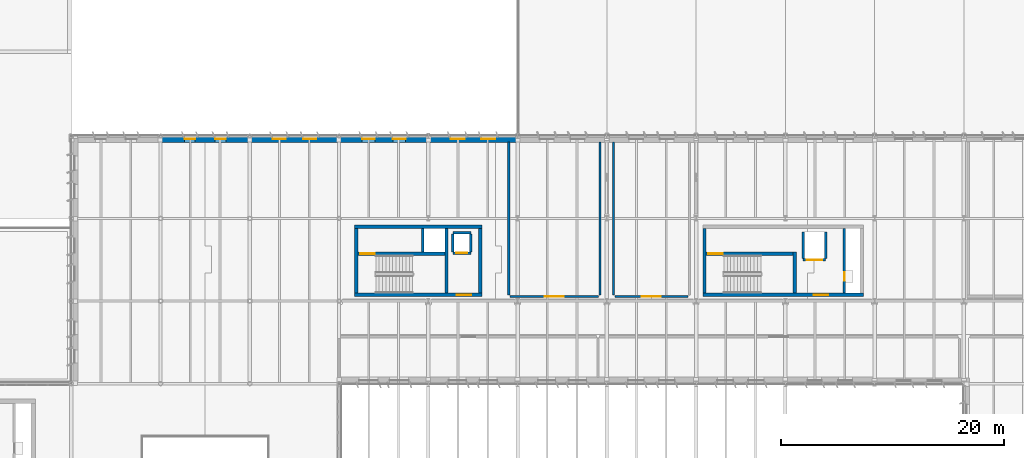
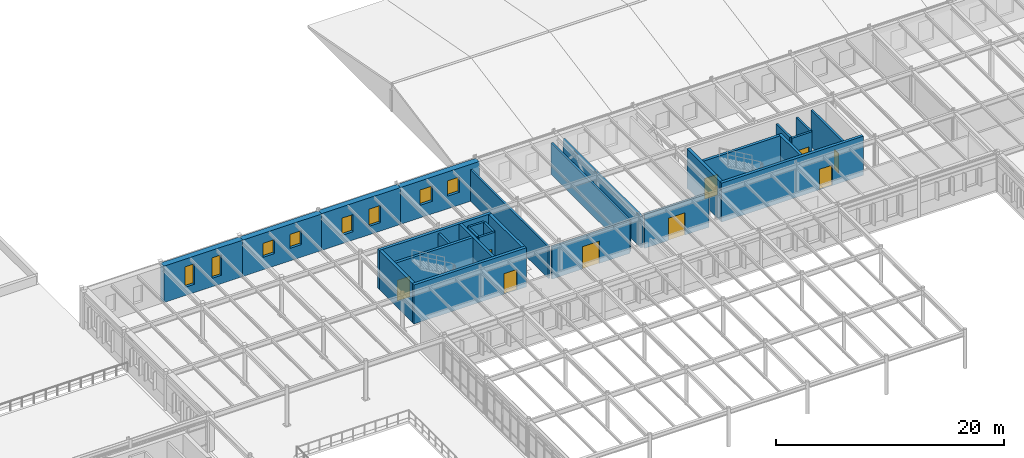
# One storey, part 44 of 63: 28 walls, 9 doors, 8 windows, 17 openings.
"""IFC4 building model written with IfcOpenShell, lengths in metres."""

from ifc_helpers import new_model, si_unit, direction, frame, frame_2d, origin, place, context, subcontext, project, spatial, rectangle, extrude, material, layer, layer_set, type_object, element, fill, save


model = new_model("IFC4")

# Units and contexts
model_context = context("Model", 3, precision=1e-05, world=origin(), true_north=direction((0.0, 1.0)))
body_context = subcontext(model_context, "Body", "Model", "MODEL_VIEW")
ifc_project = project(units=[si_unit("LENGTHUNIT", "METRE"), si_unit("AREAUNIT", "SQUARE_METRE"), si_unit("VOLUMEUNIT", "CUBIC_METRE"), si_unit("PLANEANGLEUNIT", "RADIAN"), si_unit("MASSUNIT", "GRAM", prefix="KILO")], contexts=[model_context])

# Site, building, storey
site_placement = place(None, origin())
site = spatial("IfcSite", under=ifc_project, at=site_placement, CompositionType="ELEMENT")
building_placement = place(site_placement, origin())
building = spatial("IfcBuilding", under=site, at=building_placement, Name="Valkorina Park Police Headquarters", CompositionType="ELEMENT")
storey_placement = place(building_placement, frame((0.0, 0.0, 9.89990234375)))
storey = spatial("IfcBuildingStorey", under=building, at=storey_placement, Name="L03", CompositionType="ELEMENT", Elevation=9.89990234375)

# Wall, opening, door
ifc_material_1 = material(Name="Autoclaved aerated concrete masonry", Category="masonry")
ifc_layer_1 = layer(ifc_material_1, 0.219970703125)
ifc_layer_set_1 = layer_set([ifc_layer_1], Name="Autoclaved aerated concrete masonry")
wall_type_1 = type_object("IfcWallType", Name="WL-CHASE-220-EI60", PredefinedType="PLUMBINGWALL", material=ifc_layer_set_1)
wall_1_placement = place(storey_placement, frame((122.389892578125, 70.2900390625, 0.0), z_axis=(0.0, 0.0, 1.0), x_axis=(1.0, 0.0, 0.0)))
wall_1 = element("IfcWall", 1, at=wall_1_placement, inside=storey, type_object=wall_type_1, Name="Lift LF-07 L03 Shaft Front Wall", PredefinedType="PLUMBINGWALL", context=body_context, shape_type="SweptSolid", body=[
    extrude(rectangle(XDim=2.02001953125, YDim=0.219970703125, at=frame_2d((1.010009765625, 0.0))), origin(), (0.0, 0.0, 1.0), 3.920166015625),
])
opening_1_placement = place(wall_1_placement, frame((0.31005859375, 0.0, 0.0)))
opening_1 = element("IfcOpeningElement", 2, at=opening_1_placement, cuts=wall_1, Name="Opening LD-04", PredefinedType="OPENING", context=body_context, shape_type="SweptSolid", body=[
    extrude(rectangle(XDim=1.39990234375, YDim=2.39990234375, at=frame_2d((0.699951171875, 1.199951171875))), frame((0.0, 0.1201171875, 0.0), z_axis=(0.0, -1.0, 0.0), x_axis=(1.0, 0.0, 0.0)), (0.0, 0.0, 1.0), 0.239990234375),
])
ifc_material_2 = material(Name="Stainless steel EN 1.4404", Category="steel")
ifc_layer_2 = layer(ifc_material_2, 0.050048828125)
ifc_layer_set_2 = layer_set([ifc_layer_2], Name="Stainless steel EN 1.4404")
door_type_1 = type_object("IfcDoorType", Name="DR-LIFT-GOODS-1400x2400", OperationType="NOTDEFINED", PredefinedType="DOOR", material=ifc_layer_set_2)
door_1_placement = place(opening_1_placement, origin())
door_1 = element("IfcDoor", 3, at=door_1_placement, inside=storey, type_object=door_type_1, Name="Lift Landing Door LF-07-L03", OperationType="DOUBLE_DOOR_SLIDING", OverallHeight=2.39990234375, OverallWidth=1.39990234375, PredefinedType="DOOR", context=body_context, shape_type="SweptSolid", body=[
    extrude(rectangle(XDim=1.39990234375, YDim=2.39990234375, at=frame_2d((0.699951171875, 1.199951171875))), frame((0.0, 0.02490234375, 0.0), z_axis=(0.0, -1.0, 0.0), x_axis=(1.0, 0.0, 0.0)), (0.0, 0.0, 1.0), 0.050048828125),
])
fill(opening_1, door_1)

# Walls
for number, where, z_axis, x_axis, name in (
    (4, (122.389892578125, 70.39990234375, 0.0), (0.0, 0.0, 1.0), (0.0, 1.0, 0.0), "Lift LF-07 L03 Shaft Side Wall W"),
    (5, (124.409912109375, 70.39990234375, 0.0), (0.0, 0.0, 1.0), (0.0, 1.0, 0.0), "Lift LF-07 L03 Shaft Side Wall E"),
):
    element("IfcWall", number, at=place(storey_placement, frame(where, z_axis=z_axis, x_axis=x_axis)), inside=storey, type_object=wall_type_1, Name=name, PredefinedType="PLUMBINGWALL", context=body_context, shape_type="SweptSolid", body=[
        extrude(rectangle(XDim=2.400146484375, YDim=0.219970703125, at=frame_2d((1.2001953125, 0.0))), origin(), (0.0, 0.0, 1.0), 3.920166015625),
    ])

# Wall, opening, door
wall_2_placement = place(storey_placement, frame((126.090087890625, 67.300048828125, 0.0), z_axis=(0.0, 0.0, 1.0), x_axis=(0.0, 1.0, 0.0)))
wall_2 = element("IfcWall", 6, at=wall_2_placement, inside=storey, type_object=wall_type_1, Name="Core C5 L03 Riser Shaft West Wall", PredefinedType="PLUMBINGWALL", context=body_context, shape_type="SweptSolid", body=[
    extrude(rectangle(XDim=5.800048828125, YDim=0.219970703125, at=frame_2d((2.89990234375, 0.0))), origin(), (0.0, 0.0, 1.0), 3.920166015625),
])
opening_2_placement = place(wall_2_placement, frame((1.10009765625, 0.0, 0.0)))
opening_2 = element("IfcOpeningElement", 7, at=opening_2_placement, cuts=wall_2, Name="Opening ID-01", PredefinedType="OPENING", context=body_context, shape_type="SweptSolid", body=[
    extrude(rectangle(XDim=0.800048828125, YDim=2.10009765625, at=frame_2d((0.39990234375, 1.050048828125))), frame((0.0, 0.1201171875, 0.0), z_axis=(0.0, -1.0, 0.0), x_axis=(1.0, 0.0, 0.0)), (0.0, 0.0, 1.0), 0.239990234375),
])
ifc_material_3 = material(Name="Galvanized steel door leaf", Category="steel")
ifc_layer_3 = layer(ifc_material_3, 0.050048828125)
ifc_layer_set_3 = layer_set([ifc_layer_3], Name="Galvanized steel door leaf")
door_type_2 = type_object("IfcDoorType", Name="DR-INT-RISER-800x2100", OperationType="NOTDEFINED", PredefinedType="DOOR", material=ifc_layer_set_3)
door_2_placement = place(opening_2_placement, origin())
door_2 = element("IfcDoor", 8, at=door_2_placement, inside=storey, type_object=door_type_2, Name="Riser Shaft Access Door C5-L03", OperationType="SINGLE_SWING_RIGHT", OverallHeight=2.10009765625, OverallWidth=0.800048828125, PredefinedType="DOOR", context=body_context, shape_type="SweptSolid", body=[
    extrude(rectangle(XDim=0.800048828125, YDim=2.10009765625, at=frame_2d((0.39990234375, 1.050048828125))), frame((0.0, 0.02490234375, 0.0), z_axis=(0.0, -1.0, 0.0), x_axis=(1.0, 0.0, 0.0)), (0.0, 0.0, 1.0), 0.050048828125),
])
fill(opening_2, door_2)

wall_3_placement = place(storey_placement, frame((90.989990234375, 70.889892578125, 0.0), z_axis=(0.0, 0.0, 1.0), x_axis=(1.0, 0.0, 0.0)))
wall_3 = element("IfcWall", 9, at=wall_3_placement, inside=storey, type_object=wall_type_1, Name="Lift LF-08 L03 Shaft Front Wall", PredefinedType="PLUMBINGWALL", context=body_context, shape_type="SweptSolid", body=[
    extrude(rectangle(XDim=1.6201171875, YDim=0.219970703125, at=frame_2d((0.81005859375, 0.0))), origin(), (0.0, 0.0, 1.0), 3.920166015625),
])
opening_3_placement = place(wall_3_placement, frame((0.31005859375, 0.0, 0.0)))
opening_3 = element("IfcOpeningElement", 10, at=opening_3_placement, cuts=wall_3, Name="Opening LD-02", PredefinedType="OPENING", context=body_context, shape_type="SweptSolid", body=[
    extrude(rectangle(XDim=1.0, YDim=2.199951171875, at=frame_2d((0.5, 1.10009765625))), frame((0.0, 0.1201171875, 0.0), z_axis=(0.0, -1.0, 0.0), x_axis=(1.0, 0.0, 0.0)), (0.0, 0.0, 1.0), 0.239990234375),
])
ifc_layer_4 = layer(ifc_material_2, 0.050048828125)
ifc_layer_set_4 = layer_set([ifc_layer_4], Name="Stainless steel EN 1.4404")
door_type_3 = type_object("IfcDoorType", Name="DR-LIFT-PAX-1000x2200", OperationType="NOTDEFINED", PredefinedType="DOOR", material=ifc_layer_set_4)
door_3_placement = place(opening_3_placement, origin())
door_3 = element("IfcDoor", 11, at=door_3_placement, inside=storey, type_object=door_type_3, Name="Lift Landing Door LF-08-L03", OperationType="DOUBLE_DOOR_SLIDING", OverallHeight=2.199951171875, OverallWidth=1.0, PredefinedType="DOOR", context=body_context, shape_type="SweptSolid", body=[
    extrude(rectangle(XDim=1.0, YDim=2.199951171875, at=frame_2d((0.5, 1.10009765625))), frame((0.0, 0.02490234375, 0.0), z_axis=(0.0, -1.0, 0.0), x_axis=(1.0, 0.0, 0.0)), (0.0, 0.0, 1.0), 0.050048828125),
])
fill(opening_3, door_3)

# Walls
wall_4_placement = place(storey_placement, frame((90.989990234375, 72.7099609375, 0.0), z_axis=(0.0, 0.0, 1.0), x_axis=(1.0, 0.0, 0.0)))
element("IfcWall", 12, at=wall_4_placement, inside=storey, type_object=wall_type_1, Name="Lift LF-08 L03 Shaft Back Wall", PredefinedType="PLUMBINGWALL", context=body_context, shape_type="SweptSolid", body=[
    extrude(rectangle(XDim=1.6201171875, YDim=0.219970703125, at=frame_2d((0.81005859375, 0.0))), origin(), (0.0, 0.0, 1.0), 3.920166015625),
])
for number, where, z_axis, x_axis, name in (
    (13, (90.989990234375, 71.0, 0.0), (0.0, 0.0, 1.0), (0.0, 1.0, 0.0), "Lift LF-08 L03 Shaft Side Wall W"),
    (14, (92.610107421875, 71.0, 0.0), (0.0, 0.0, 1.0), (0.0, 1.0, 0.0), "Lift LF-08 L03 Shaft Side Wall E"),
):
    element("IfcWall", number, at=place(storey_placement, frame(where, z_axis=z_axis, x_axis=x_axis)), inside=storey, type_object=wall_type_1, Name=name, PredefinedType="PLUMBINGWALL", context=body_context, shape_type="SweptSolid", body=[
        extrude(rectangle(XDim=1.60009765625, YDim=0.219970703125, at=frame_2d((0.800048828125, 0.0))), origin(), (0.0, 0.0, 1.0), 3.920166015625),
    ])
wall_5_placement = place(storey_placement, frame((88.2900390625, 70.97998046875, 0.0), z_axis=(0.0, 0.0, 1.0), x_axis=(0.0, 1.0, 0.0)))
element("IfcWall", 15, at=wall_5_placement, inside=storey, type_object=wall_type_1, Name="Core C6 L03 Riser Shaft West Wall", PredefinedType="PLUMBINGWALL", context=body_context, shape_type="SweptSolid", body=[
    extrude(rectangle(XDim=2.1201171875, YDim=0.219970703125, at=frame_2d((1.06005859375, 0.0))), origin(), (0.0, 0.0, 1.0), 3.920166015625),
])

# Wall, opening, door
ifc_material_4 = material(Name="Concrete C40/50", Category="concrete")
ifc_layer_5 = layer(ifc_material_4, 0.300048828125)
ifc_layer_set_5 = layer_set([ifc_layer_5], Name="Concrete C40/50")
wall_type_2 = type_object("IfcWallType", Name="WL-CORE-300-REI120", PredefinedType="SHEAR", material=ifc_layer_set_5)
wall_6_placement = place(storey_placement, frame((113.39990234375, 67.14990234375, 0.0), z_axis=(0.0, 0.0, 1.0), x_axis=(1.0, 0.0, 0.0)))
wall_6 = element("IfcWall", 16, at=wall_6_placement, inside=storey, type_object=wall_type_2, Name="Core C5 L03 Shear Wall S", PredefinedType="SHEAR", context=body_context, shape_type="SweptSolid", body=[
    extrude(rectangle(XDim=14.400146484375, YDim=0.300048828125, at=frame_2d((7.2001953125, 0.0))), origin(), (0.0, 0.0, 1.0), 4.195068359375),
])
opening_4_placement = place(wall_6_placement, frame((9.949951171875, 0.0, 0.0)))
opening_4 = element("IfcOpeningElement", 17, at=opening_4_placement, cuts=wall_6, Name="Opening FD-03", PredefinedType="OPENING", context=body_context, shape_type="SweptSolid", body=[
    extrude(rectangle(XDim=1.300048828125, YDim=2.199951171875, at=frame_2d((0.64990234375, 1.10009765625))), frame((0.0, 0.16015625, 0.0), z_axis=(0.0, -1.0, 0.0), x_axis=(1.0, 0.0, 0.0)), (0.0, 0.0, 1.0), 0.320068359375),
])
ifc_layer_6 = layer(ifc_material_3, 0.050048828125)
ifc_layer_set_6 = layer_set([ifc_layer_6], Name="Galvanized steel door leaf")
door_type_4 = type_object("IfcDoorType", Name="DR-FIRE-STAIR-1300x2200", OperationType="NOTDEFINED", PredefinedType="DOOR", material=ifc_layer_set_6)
door_4_placement = place(opening_4_placement, origin())
door_4 = element("IfcDoor", 18, at=door_4_placement, inside=storey, type_object=door_type_4, Name="Door D-L03-LBY-C5 (Core C5 Lobby Fire Door)", OperationType="SINGLE_SWING_LEFT", OverallHeight=2.199951171875, OverallWidth=1.300048828125, PredefinedType="DOOR", context=body_context, shape_type="SweptSolid", body=[
    extrude(rectangle(XDim=1.300048828125, YDim=2.199951171875, at=frame_2d((0.64990234375, 1.10009765625))), frame((0.0, 0.02490234375, 0.0), z_axis=(0.0, -1.0, 0.0), x_axis=(1.0, 0.0, 0.0)), (0.0, 0.0, 1.0), 0.050048828125),
])
fill(opening_4, door_4)

# Wall
wall_7_placement = place(storey_placement, frame((113.550048828125, 67.300048828125, 0.0), z_axis=(0.0, 0.0, 1.0), x_axis=(0.0, 1.0, 0.0)))
element("IfcWall", 19, at=wall_7_placement, inside=storey, type_object=wall_type_2, Name="Core C5 L03 Shear Wall W", PredefinedType="SHEAR", context=body_context, shape_type="SweptSolid", body=[
    extrude(rectangle(XDim=5.800048828125, YDim=0.300048828125, at=frame_2d((2.89990234375, 0.0))), origin(), (0.0, 0.0, 1.0), 4.195068359375),
])

# Wall, opening, door
wall_8_placement = place(storey_placement, frame((82.199951171875, 67.14990234375, 0.0), z_axis=(0.0, 0.0, 1.0), x_axis=(1.0, 0.0, 0.0)))
wall_8 = element("IfcWall", 20, at=wall_8_placement, inside=storey, type_object=wall_type_2, Name="Core C6 L03 Shear Wall S", PredefinedType="SHEAR", context=body_context, shape_type="SweptSolid", body=[
    extrude(rectangle(XDim=11.400146484375, YDim=0.300048828125, at=frame_2d((5.7001953125, 0.0))), origin(), (0.0, 0.0, 1.0), 4.195068359375),
])
opening_5_placement = place(wall_8_placement, frame((9.14990234375, 0.0, 0.0)))
opening_5 = element("IfcOpeningElement", 21, at=opening_5_placement, cuts=wall_8, Name="Opening FD-03", PredefinedType="OPENING", context=body_context, shape_type="SweptSolid", body=[
    extrude(rectangle(XDim=1.300048828125, YDim=2.199951171875, at=frame_2d((0.64990234375, 1.10009765625))), frame((0.0, 0.16015625, 0.0), z_axis=(0.0, -1.0, 0.0), x_axis=(1.0, 0.0, 0.0)), (0.0, 0.0, 1.0), 0.320068359375),
])
door_5_placement = place(opening_5_placement, origin())
door_5 = element("IfcDoor", 22, at=door_5_placement, inside=storey, type_object=door_type_4, Name="Door D-L03-LBY-C6 (Core C6 Lobby Fire Door)", OperationType="SINGLE_SWING_LEFT", OverallHeight=2.199951171875, OverallWidth=1.300048828125, PredefinedType="DOOR", context=body_context, shape_type="SweptSolid", body=[
    extrude(rectangle(XDim=1.300048828125, YDim=2.199951171875, at=frame_2d((0.64990234375, 1.10009765625))), frame((0.0, 0.02490234375, 0.0), z_axis=(0.0, -1.0, 0.0), x_axis=(1.0, 0.0, 0.0)), (0.0, 0.0, 1.0), 0.050048828125),
])
fill(opening_5, door_5)

# Walls
wall_9_placement = place(storey_placement, frame((82.199951171875, 73.25, 0.0), z_axis=(0.0, 0.0, 1.0), x_axis=(1.0, 0.0, 0.0)))
element("IfcWall", 23, at=wall_9_placement, inside=storey, type_object=wall_type_2, Name="Core C6 L03 Shear Wall N", PredefinedType="SHEAR", context=body_context, shape_type="SweptSolid", body=[
    extrude(rectangle(XDim=11.400146484375, YDim=0.300048828125, at=frame_2d((5.7001953125, 0.0))), origin(), (0.0, 0.0, 1.0), 4.195068359375),
])
for number, where, z_axis, x_axis, name in (
    (24, (82.35009765625, 67.300048828125, 0.0), (0.0, 0.0, 1.0), (0.0, 1.0, 0.0), "Core C6 L03 Shear Wall W"),
    (25, (93.449951171875, 67.300048828125, 0.0), (0.0, 0.0, 1.0), (0.0, 1.0, 0.0), "Core C6 L03 Shear Wall E"),
):
    element("IfcWall", number, at=place(storey_placement, frame(where, z_axis=z_axis, x_axis=x_axis)), inside=storey, type_object=wall_type_2, Name=name, PredefinedType="SHEAR", context=body_context, shape_type="SweptSolid", body=[
        extrude(rectangle(XDim=5.800048828125, YDim=0.300048828125, at=frame_2d((2.89990234375, 0.0))), origin(), (0.0, 0.0, 1.0), 4.195068359375),
    ])

# Wall, opening, door
ifc_layer_7 = layer(ifc_material_1, 0.199951171875)
ifc_layer_set_7 = layer_set([ifc_layer_7], Name="Autoclaved aerated concrete masonry")
wall_type_3 = type_object("IfcWallType", Name="WL-CORR-200-EI60", PredefinedType="STANDARD", material=ifc_layer_set_7)
wall_10_placement = place(storey_placement, frame((96.139892578125, 67.0, 0.0), z_axis=(0.0, 0.0, 1.0), x_axis=(1.0, 0.0, 0.0)))
wall_10 = element("IfcWall", 26, at=wall_10_placement, inside=storey, type_object=wall_type_3, Name="L03 Interior Partition 0175 (L03-TEL-03)", PredefinedType="STANDARD", context=body_context, shape_type="SweptSolid", body=[
    extrude(rectangle(XDim=7.920166015625, YDim=0.199951171875, at=frame_2d((3.9599609375, 0.0))), origin(), (0.0, 0.0, 1.0), 3.445068359375),
])
opening_6_placement = place(wall_10_placement, frame((3.110107421875, 0.0, 0.0)))
opening_6 = element("IfcOpeningElement", 27, at=opening_6_placement, cuts=wall_10, Name="Opening FD-08", PredefinedType="OPENING", context=body_context, shape_type="SweptSolid", body=[
    extrude(rectangle(XDim=1.699951171875, YDim=2.39990234375, at=frame_2d((0.85009765625, 1.199951171875))), frame((0.0, 0.10986328125, 0.0), z_axis=(0.0, -1.0, 0.0), x_axis=(1.0, 0.0, 0.0)), (0.0, 0.0, 1.0), 0.219970703125),
])
ifc_layer_8 = layer(ifc_material_3, 0.050048828125)
ifc_layer_set_8 = layer_set([ifc_layer_8], Name="Galvanized steel door leaf")
door_type_5 = type_object("IfcDoorType", Name="DR-FIRE-PLANT-1700x2400", OperationType="NOTDEFINED", PredefinedType="DOOR", material=ifc_layer_set_8)
door_6_placement = place(opening_6_placement, origin())
door_6 = element("IfcDoor", 28, at=door_6_placement, inside=storey, type_object=door_type_5, Name="Door D-L03-I082 (L03-TEL-03)", OperationType="DOUBLE_DOOR_SINGLE_SWING", OverallHeight=2.39990234375, OverallWidth=1.699951171875, PredefinedType="DOOR", context=body_context, shape_type="SweptSolid", body=[
    extrude(rectangle(XDim=1.699951171875, YDim=2.39990234375, at=frame_2d((0.85009765625, 1.199951171875))), frame((0.0, 0.02490234375, 0.0), z_axis=(0.0, -1.0, 0.0), x_axis=(1.0, 0.0, 0.0)), (0.0, 0.0, 1.0), 0.050048828125),
])
fill(opening_6, door_6)

# Walls
for number, where, z_axis, x_axis, name in (
    (29, (96.0, 67.139892578125, 0.0), (0.0, 0.0, 1.0), (0.0, 1.0, 0.0), "L03 Interior Partition 0176 (L03-TEL-03)"),
    (30, (104.199951171875, 67.139892578125, 0.0), (0.0, 0.0, 1.0), (0.0, 1.0, 0.0), "L03 Interior Partition 0177 (L03-TEL-03)"),
):
    element("IfcWall", number, at=place(storey_placement, frame(where, z_axis=z_axis, x_axis=x_axis)), inside=storey, type_object=wall_type_3, Name=name, PredefinedType="STANDARD", context=body_context, shape_type="SweptSolid", body=[
        extrude(rectangle(XDim=13.72021484375, YDim=0.199951171875, at=frame_2d((6.860107421875, 0.0))), origin(), (0.0, 0.0, 1.0), 3.385009765625),
    ])

# Wall, opening, door
wall_11_placement = place(storey_placement, frame((105.5400390625, 67.0, 0.0), z_axis=(0.0, 0.0, 1.0), x_axis=(1.0, 0.0, 0.0)))
wall_11 = element("IfcWall", 31, at=wall_11_placement, inside=storey, type_object=wall_type_3, Name="L03 Interior Partition 0178 (L03-TEL-04)", PredefinedType="STANDARD", context=body_context, shape_type="SweptSolid", body=[
    extrude(rectangle(XDim=6.52001953125, YDim=0.199951171875, at=frame_2d((3.260009765625, 0.0))), origin(), (0.0, 0.0, 1.0), 3.635009765625),
])
opening_7_placement = place(wall_11_placement, frame((2.409912109375, 0.0, 0.0)))
opening_7 = element("IfcOpeningElement", 32, at=opening_7_placement, cuts=wall_11, Name="Opening FD-08", PredefinedType="OPENING", context=body_context, shape_type="SweptSolid", body=[
    extrude(rectangle(XDim=1.699951171875, YDim=2.39990234375, at=frame_2d((0.85009765625, 1.199951171875))), frame((0.0, 0.10986328125, 0.0), z_axis=(0.0, -1.0, 0.0), x_axis=(1.0, 0.0, 0.0)), (0.0, 0.0, 1.0), 0.219970703125),
])
door_7_placement = place(opening_7_placement, origin())
door_7 = element("IfcDoor", 33, at=door_7_placement, inside=storey, type_object=door_type_5, Name="Door D-L03-I083 (L03-TEL-04)", OperationType="DOUBLE_DOOR_SINGLE_SWING", OverallHeight=2.39990234375, OverallWidth=1.699951171875, PredefinedType="DOOR", context=body_context, shape_type="SweptSolid", body=[
    extrude(rectangle(XDim=1.699951171875, YDim=2.39990234375, at=frame_2d((0.85009765625, 1.199951171875))), frame((0.0, 0.02490234375, 0.0), z_axis=(0.0, -1.0, 0.0), x_axis=(1.0, 0.0, 0.0)), (0.0, 0.0, 1.0), 0.050048828125),
])
fill(opening_7, door_7)

# Wall
wall_12_placement = place(storey_placement, frame((105.39990234375, 67.139892578125, 0.0), z_axis=(0.0, 0.0, 1.0), x_axis=(0.0, 1.0, 0.0)))
element("IfcWall", 34, at=wall_12_placement, inside=storey, type_object=wall_type_3, Name="L03 Interior Partition 0179 (L03-TEL-04)", PredefinedType="STANDARD", context=body_context, shape_type="SweptSolid", body=[
    extrude(rectangle(XDim=13.72021484375, YDim=0.199951171875, at=frame_2d((6.860107421875, 0.0))), origin(), (0.0, 0.0, 1.0), 3.385009765625),
])

# Wall, openings, windows
ifc_material_5 = material(Name="Concrete C35/45", Category="concrete")
ifc_layer_9 = layer(ifc_material_5, 0.580078125)
ifc_layer_set_9 = layer_set([ifc_layer_9], Name="Concrete C35/45")
wall_type_4 = type_object("IfcWallType", Name="WL-EXT-BOARD-580", PredefinedType="STANDARD", material=ifc_layer_set_9)
wall_13_placement = place(storey_placement, frame((64.800048828125, 81.110107421875, 0.0), z_axis=(0.0, 0.0, 1.0), x_axis=(1.0, 0.0, 0.0)))
wall_13 = element("IfcWall", 35, at=wall_13_placement, inside=storey, type_object=wall_type_4, Name="L03 Architectural Concrete Exterior Wall 0192", PredefinedType="STANDARD", context=body_context, shape_type="SweptSolid", body=[
    extrude(rectangle(XDim=8.0, YDim=0.580078125, at=frame_2d((4.0, 0.0))), origin(), (0.0, 0.0, 1.0), 3.920166015625),
])
opening_8_placement = place(wall_13_placement, frame((2.152587890625, 0.0, 0.89990234375)))
opening_8 = element("IfcOpeningElement", 36, at=opening_8_placement, cuts=wall_13, Name="Opening WN-18", PredefinedType="OPENING", context=body_context, shape_type="SweptSolid", body=[
    extrude(rectangle(XDim=0.949951171875, YDim=2.199951171875, at=frame_2d((0.47509765625, 1.10009765625))), frame((0.0, 0.300048828125, 0.0), z_axis=(0.0, -1.0, 0.0), x_axis=(1.0, 0.0, 0.0)), (0.0, 0.0, 1.0), 0.60009765625),
])
opening_9_placement = place(wall_13_placement, frame((4.8974609375, 0.0, 0.89990234375)))
opening_9 = element("IfcOpeningElement", 37, at=opening_9_placement, cuts=wall_13, Name="Opening WN-18", PredefinedType="OPENING", context=body_context, shape_type="SweptSolid", body=[
    extrude(rectangle(XDim=0.949951171875, YDim=2.199951171875, at=frame_2d((0.47509765625, 1.10009765625))), frame((0.0, 0.300048828125, 0.0), z_axis=(0.0, -1.0, 0.0), x_axis=(1.0, 0.0, 0.0)), (0.0, 0.0, 1.0), 0.60009765625),
])
ifc_material_6 = material(Name="Triple low-E insulated glazing", Category="glass")
ifc_layer_10 = layer(ifc_material_6, 0.06005859375)
ifc_layer_set_10 = layer_set([ifc_layer_10], Name="Triple low-E insulated glazing")
window_type_1 = type_object("IfcWindowType", Name="WN-SLOT-950x2200", PartitioningType="SINGLE_PANEL", PredefinedType="WINDOW", material=ifc_layer_set_10)
window_1_placement = place(opening_8_placement, origin())
window_1 = element("IfcWindow", 38, at=window_1_placement, inside=storey, type_object=window_type_1, Name="Window L03-0319", OverallHeight=2.199951171875, OverallWidth=0.949951171875, PartitioningType="SINGLE_PANEL", PredefinedType="WINDOW", context=body_context, shape_type="SweptSolid", body=[
    extrude(rectangle(XDim=0.949951171875, YDim=2.199951171875, at=frame_2d((0.47509765625, 1.10009765625))), frame((0.0, 0.030029296875, 0.0), z_axis=(0.0, -1.0, 0.0), x_axis=(1.0, 0.0, 0.0)), (0.0, 0.0, 1.0), 0.06005859375),
])
fill(opening_8, window_1)
window_2_placement = place(opening_9_placement, origin())
window_2 = element("IfcWindow", 39, at=window_2_placement, inside=storey, type_object=window_type_1, Name="Window L03-0320", OverallHeight=2.199951171875, OverallWidth=0.949951171875, PartitioningType="SINGLE_PANEL", PredefinedType="WINDOW", context=body_context, shape_type="SweptSolid", body=[
    extrude(rectangle(XDim=0.949951171875, YDim=2.199951171875, at=frame_2d((0.47509765625, 1.10009765625))), frame((0.0, 0.030029296875, 0.0), z_axis=(0.0, -1.0, 0.0), x_axis=(1.0, 0.0, 0.0)), (0.0, 0.0, 1.0), 0.06005859375),
])
fill(opening_9, window_2)

wall_14_placement = place(storey_placement, frame((72.800048828125, 81.110107421875, 0.0), z_axis=(0.0, 0.0, 1.0), x_axis=(1.0, 0.0, 0.0)))
wall_14 = element("IfcWall", 40, at=wall_14_placement, inside=storey, type_object=wall_type_4, Name="L03 Architectural Concrete Exterior Wall 0193", PredefinedType="STANDARD", context=body_context, shape_type="SweptSolid", body=[
    extrude(rectangle(XDim=8.0, YDim=0.580078125, at=frame_2d((4.0, 0.0))), origin(), (0.0, 0.0, 1.0), 3.920166015625),
])
opening_10_placement = place(wall_14_placement, frame((2.052490234375, 0.0, 1.35009765625)))
opening_10 = element("IfcOpeningElement", 41, at=opening_10_placement, cuts=wall_14, Name="Opening WN-19", PredefinedType="OPENING", context=body_context, shape_type="SweptSolid", body=[
    extrude(rectangle(XDim=1.14990234375, YDim=1.5, at=frame_2d((0.574951171875, 0.75))), frame((0.0, 0.300048828125, 0.0), z_axis=(0.0, -1.0, 0.0), x_axis=(1.0, 0.0, 0.0)), (0.0, 0.0, 1.0), 0.60009765625),
])
opening_11_placement = place(wall_14_placement, frame((4.79736328125, 0.0, 1.35009765625)))
opening_11 = element("IfcOpeningElement", 42, at=opening_11_placement, cuts=wall_14, Name="Opening WN-19", PredefinedType="OPENING", context=body_context, shape_type="SweptSolid", body=[
    extrude(rectangle(XDim=1.14990234375, YDim=1.5, at=frame_2d((0.574951171875, 0.75))), frame((0.0, 0.300048828125, 0.0), z_axis=(0.0, -1.0, 0.0), x_axis=(1.0, 0.0, 0.0)), (0.0, 0.0, 1.0), 0.60009765625),
])
ifc_layer_11 = layer(ifc_material_6, 0.06005859375)
ifc_layer_set_11 = layer_set([ifc_layer_11], Name="Triple low-E insulated glazing")
window_type_2 = type_object("IfcWindowType", Name="WN-LAB-1150x1500", PartitioningType="SINGLE_PANEL", PredefinedType="WINDOW", material=ifc_layer_set_11)
window_3_placement = place(opening_10_placement, origin())
window_3 = element("IfcWindow", 43, at=window_3_placement, inside=storey, type_object=window_type_2, Name="Window L03-0321", OverallHeight=1.5, OverallWidth=1.14990234375, PartitioningType="SINGLE_PANEL", PredefinedType="WINDOW", context=body_context, shape_type="SweptSolid", body=[
    extrude(rectangle(XDim=1.14990234375, YDim=1.5, at=frame_2d((0.574951171875, 0.75))), frame((0.0, 0.030029296875, 0.0), z_axis=(0.0, -1.0, 0.0), x_axis=(1.0, 0.0, 0.0)), (0.0, 0.0, 1.0), 0.06005859375),
])
fill(opening_10, window_3)
window_4_placement = place(opening_11_placement, origin())
window_4 = element("IfcWindow", 44, at=window_4_placement, inside=storey, type_object=window_type_2, Name="Window L03-0322", OverallHeight=1.5, OverallWidth=1.14990234375, PartitioningType="SINGLE_PANEL", PredefinedType="WINDOW", context=body_context, shape_type="SweptSolid", body=[
    extrude(rectangle(XDim=1.14990234375, YDim=1.5, at=frame_2d((0.574951171875, 0.75))), frame((0.0, 0.030029296875, 0.0), z_axis=(0.0, -1.0, 0.0), x_axis=(1.0, 0.0, 0.0)), (0.0, 0.0, 1.0), 0.06005859375),
])
fill(opening_11, window_4)

wall_15_placement = place(storey_placement, frame((80.800048828125, 81.110107421875, 0.0), z_axis=(0.0, 0.0, 1.0), x_axis=(1.0, 0.0, 0.0)))
wall_15 = element("IfcWall", 45, at=wall_15_placement, inside=storey, type_object=wall_type_4, Name="L03 Architectural Concrete Exterior Wall 0194", PredefinedType="STANDARD", context=body_context, shape_type="SweptSolid", body=[
    extrude(rectangle(XDim=8.0, YDim=0.580078125, at=frame_2d((4.0, 0.0))), origin(), (0.0, 0.0, 1.0), 3.955078125),
])
opening_12_placement = place(wall_15_placement, frame((2.0615234375, 0.0, 0.89990234375)))
opening_12 = element("IfcOpeningElement", 46, at=opening_12_placement, cuts=wall_15, Name="Opening WN-20", PredefinedType="OPENING", context=body_context, shape_type="SweptSolid", body=[
    extrude(rectangle(XDim=1.14990234375, YDim=1.85009765625, at=frame_2d((0.574951171875, 0.925048828125))), frame((0.0, 0.300048828125, 0.0), z_axis=(0.0, -1.0, 0.0), x_axis=(1.0, 0.0, 0.0)), (0.0, 0.0, 1.0), 0.60009765625),
])
opening_13_placement = place(wall_15_placement, frame((4.81640625, 0.0, 0.89990234375)))
opening_13 = element("IfcOpeningElement", 47, at=opening_13_placement, cuts=wall_15, Name="Opening WN-20", PredefinedType="OPENING", context=body_context, shape_type="SweptSolid", body=[
    extrude(rectangle(XDim=1.14990234375, YDim=1.85009765625, at=frame_2d((0.574951171875, 0.925048828125))), frame((0.0, 0.300048828125, 0.0), z_axis=(0.0, -1.0, 0.0), x_axis=(1.0, 0.0, 0.0)), (0.0, 0.0, 1.0), 0.60009765625),
])
ifc_layer_12 = layer(ifc_material_6, 0.06005859375)
ifc_layer_set_12 = layer_set([ifc_layer_12], Name="Triple low-E insulated glazing")
window_type_3 = type_object("IfcWindowType", Name="WN-LAB-1150x1850", PartitioningType="SINGLE_PANEL", PredefinedType="WINDOW", material=ifc_layer_set_12)
window_5_placement = place(opening_12_placement, origin())
window_5 = element("IfcWindow", 48, at=window_5_placement, inside=storey, type_object=window_type_3, Name="Window L03-0323", OverallHeight=1.85009765625, OverallWidth=1.14990234375, PartitioningType="SINGLE_PANEL", PredefinedType="WINDOW", context=body_context, shape_type="SweptSolid", body=[
    extrude(rectangle(XDim=1.14990234375, YDim=1.85009765625, at=frame_2d((0.574951171875, 0.925048828125))), frame((0.0, 0.030029296875, 0.0), z_axis=(0.0, -1.0, 0.0), x_axis=(1.0, 0.0, 0.0)), (0.0, 0.0, 1.0), 0.06005859375),
])
fill(opening_12, window_5)
window_6_placement = place(opening_13_placement, origin())
window_6 = element("IfcWindow", 49, at=window_6_placement, inside=storey, type_object=window_type_3, Name="Window L03-0324", OverallHeight=1.85009765625, OverallWidth=1.14990234375, PartitioningType="SINGLE_PANEL", PredefinedType="WINDOW", context=body_context, shape_type="SweptSolid", body=[
    extrude(rectangle(XDim=1.14990234375, YDim=1.85009765625, at=frame_2d((0.574951171875, 0.925048828125))), frame((0.0, 0.030029296875, 0.0), z_axis=(0.0, -1.0, 0.0), x_axis=(1.0, 0.0, 0.0)), (0.0, 0.0, 1.0), 0.06005859375),
])
fill(opening_13, window_6)

wall_16_placement = place(storey_placement, frame((88.800048828125, 81.110107421875, 0.0), z_axis=(0.0, 0.0, 1.0), x_axis=(1.0, 0.0, 0.0)))
wall_16 = element("IfcWall", 50, at=wall_16_placement, inside=storey, type_object=wall_type_4, Name="L03 Architectural Concrete Exterior Wall 0195", PredefinedType="STANDARD", context=body_context, shape_type="SweptSolid", body=[
    extrude(rectangle(XDim=8.0, YDim=0.580078125, at=frame_2d((4.0, 0.0))), origin(), (0.0, 0.0, 1.0), 3.955078125),
])
opening_14_placement = place(wall_16_placement, frame((1.99267578125, 0.0, 1.35009765625)))
opening_14 = element("IfcOpeningElement", 51, at=opening_14_placement, cuts=wall_16, Name="Opening WN-21", PredefinedType="OPENING", context=body_context, shape_type="SweptSolid", body=[
    extrude(rectangle(XDim=1.25, YDim=1.64990234375, at=frame_2d((0.625, 0.824951171875))), frame((0.0, 0.300048828125, 0.0), z_axis=(0.0, -1.0, 0.0), x_axis=(1.0, 0.0, 0.0)), (0.0, 0.0, 1.0), 0.60009765625),
])
opening_15_placement = place(wall_16_placement, frame((4.75732421875, 0.0, 1.35009765625)))
opening_15 = element("IfcOpeningElement", 52, at=opening_15_placement, cuts=wall_16, Name="Opening WN-21", PredefinedType="OPENING", context=body_context, shape_type="SweptSolid", body=[
    extrude(rectangle(XDim=1.25, YDim=1.64990234375, at=frame_2d((0.625, 0.824951171875))), frame((0.0, 0.300048828125, 0.0), z_axis=(0.0, -1.0, 0.0), x_axis=(1.0, 0.0, 0.0)), (0.0, 0.0, 1.0), 0.60009765625),
])
ifc_layer_13 = layer(ifc_material_6, 0.06005859375)
ifc_layer_set_13 = layer_set([ifc_layer_13], Name="Triple low-E insulated glazing")
window_type_4 = type_object("IfcWindowType", Name="WN-LAB-1250x1650", PartitioningType="SINGLE_PANEL", PredefinedType="WINDOW", material=ifc_layer_set_13)
window_7_placement = place(opening_14_placement, origin())
window_7 = element("IfcWindow", 53, at=window_7_placement, inside=storey, type_object=window_type_4, Name="Window L03-0325", OverallHeight=1.64990234375, OverallWidth=1.25, PartitioningType="SINGLE_PANEL", PredefinedType="WINDOW", context=body_context, shape_type="SweptSolid", body=[
    extrude(rectangle(XDim=1.25, YDim=1.64990234375, at=frame_2d((0.625, 0.824951171875))), frame((0.0, 0.030029296875, 0.0), z_axis=(0.0, -1.0, 0.0), x_axis=(1.0, 0.0, 0.0)), (0.0, 0.0, 1.0), 0.06005859375),
])
fill(opening_14, window_7)
window_8_placement = place(opening_15_placement, origin())
window_8 = element("IfcWindow", 54, at=window_8_placement, inside=storey, type_object=window_type_4, Name="Window L03-0326", OverallHeight=1.64990234375, OverallWidth=1.25, PartitioningType="SINGLE_PANEL", PredefinedType="WINDOW", context=body_context, shape_type="SweptSolid", body=[
    extrude(rectangle(XDim=1.25, YDim=1.64990234375, at=frame_2d((0.625, 0.824951171875))), frame((0.0, 0.030029296875, 0.0), z_axis=(0.0, -1.0, 0.0), x_axis=(1.0, 0.0, 0.0)), (0.0, 0.0, 1.0), 0.06005859375),
])
fill(opening_15, window_8)

# Wall
ifc_layer_14 = layer(ifc_material_4, 0.280029296875)
ifc_layer_set_14 = layer_set([ifc_layer_14], Name="Concrete C40/50")
wall_type_5 = type_object("IfcWallType", Name="WL-STAIR-280-REI120", PredefinedType="SHEAR", material=ifc_layer_set_14)
wall_17_placement = place(storey_placement, frame((121.639892578125, 67.300048828125, 0.0), z_axis=(0.0, 0.0, 1.0), x_axis=(0.0, 1.0, 0.0)))
element("IfcWall", 55, at=wall_17_placement, inside=storey, type_object=wall_type_5, Name="Core C5 L03 Shear Wall DIV", PredefinedType="SHEAR", context=body_context, shape_type="SweptSolid", body=[
    extrude(rectangle(XDim=3.679931640625, YDim=0.280029296875, at=frame_2d((1.83984375, 0.0))), origin(), (0.0, 0.0, 1.0), 4.195068359375),
])

# Wall, opening, door
wall_18_placement = place(storey_placement, frame((113.699951171875, 70.840087890625, 0.0), z_axis=(0.0, 0.0, 1.0), x_axis=(1.0, 0.0, 0.0)))
wall_18 = element("IfcWall", 56, at=wall_18_placement, inside=storey, type_object=wall_type_5, Name="Core C5 L03 Shear Wall SIDE", PredefinedType="SHEAR", context=body_context, shape_type="SweptSolid", body=[
    extrude(rectangle(XDim=7.800048828125, YDim=0.280029296875, at=frame_2d((3.89990234375, 0.0))), origin(), (0.0, 0.0, 1.0), 4.195068359375),
])
opening_16_placement = place(wall_18_placement, frame((0.199951171875, 0.0, 0.0)))
opening_16 = element("IfcOpeningElement", 57, at=opening_16_placement, cuts=wall_18, Name="Opening FD-03", PredefinedType="OPENING", context=body_context, shape_type="SweptSolid", body=[
    extrude(rectangle(XDim=1.300048828125, YDim=2.199951171875, at=frame_2d((0.64990234375, 1.10009765625))), frame((0.0, 0.14990234375, 0.0), z_axis=(0.0, -1.0, 0.0), x_axis=(1.0, 0.0, 0.0)), (0.0, 0.0, 1.0), 0.300048828125),
])
door_8_placement = place(opening_16_placement, origin())
door_8 = element("IfcDoor", 58, at=door_8_placement, inside=storey, type_object=door_type_4, Name="Door D-L03-C151 (ST-05 Stair Fire Door)", OperationType="SINGLE_SWING_RIGHT", OverallHeight=2.199951171875, OverallWidth=1.300048828125, PredefinedType="DOOR", context=body_context, shape_type="SweptSolid", body=[
    extrude(rectangle(XDim=1.300048828125, YDim=2.199951171875, at=frame_2d((0.64990234375, 1.10009765625))), frame((0.0, 0.02490234375, 0.0), z_axis=(0.0, -1.0, 0.0), x_axis=(1.0, 0.0, 0.0)), (0.0, 0.0, 1.0), 0.050048828125),
])
fill(opening_16, door_8)

# Wall
wall_19_placement = place(storey_placement, frame((90.43994140625, 67.300048828125, 0.0), z_axis=(0.0, 0.0, 1.0), x_axis=(0.0, 1.0, 0.0)))
element("IfcWall", 59, at=wall_19_placement, inside=storey, type_object=wall_type_5, Name="Core C6 L03 Shear Wall DIV", PredefinedType="SHEAR", context=body_context, shape_type="SweptSolid", body=[
    extrude(rectangle(XDim=5.800048828125, YDim=0.280029296875, at=frame_2d((2.89990234375, 0.0))), origin(), (0.0, 0.0, 1.0), 4.195068359375),
])

# Wall, opening, door
wall_20_placement = place(storey_placement, frame((82.5, 70.840087890625, 0.0), z_axis=(0.0, 0.0, 1.0), x_axis=(1.0, 0.0, 0.0)))
wall_20 = element("IfcWall", 60, at=wall_20_placement, inside=storey, type_object=wall_type_5, Name="Core C6 L03 Shear Wall SIDE", PredefinedType="SHEAR", context=body_context, shape_type="SweptSolid", body=[
    extrude(rectangle(XDim=7.800048828125, YDim=0.280029296875, at=frame_2d((3.89990234375, 0.0))), origin(), (0.0, 0.0, 1.0), 4.195068359375),
])
opening_17_placement = place(wall_20_placement, frame((0.199951171875, 0.0, 0.0)))
opening_17 = element("IfcOpeningElement", 61, at=opening_17_placement, cuts=wall_20, Name="Opening FD-03", PredefinedType="OPENING", context=body_context, shape_type="SweptSolid", body=[
    extrude(rectangle(XDim=1.300048828125, YDim=2.199951171875, at=frame_2d((0.64990234375, 1.10009765625))), frame((0.0, 0.14990234375, 0.0), z_axis=(0.0, -1.0, 0.0), x_axis=(1.0, 0.0, 0.0)), (0.0, 0.0, 1.0), 0.300048828125),
])
door_9_placement = place(opening_17_placement, origin())
door_9 = element("IfcDoor", 62, at=door_9_placement, inside=storey, type_object=door_type_4, Name="Door D-L03-C168 (ST-06 Stair Fire Door)", OperationType="SINGLE_SWING_LEFT", OverallHeight=2.199951171875, OverallWidth=1.300048828125, PredefinedType="DOOR", context=body_context, shape_type="SweptSolid", body=[
    extrude(rectangle(XDim=1.300048828125, YDim=2.199951171875, at=frame_2d((0.64990234375, 1.10009765625))), frame((0.0, 0.02490234375, 0.0), z_axis=(0.0, -1.0, 0.0), x_axis=(1.0, 0.0, 0.0)), (0.0, 0.0, 1.0), 0.050048828125),
])
fill(opening_17, door_9)

save(model, "model.ifc")
